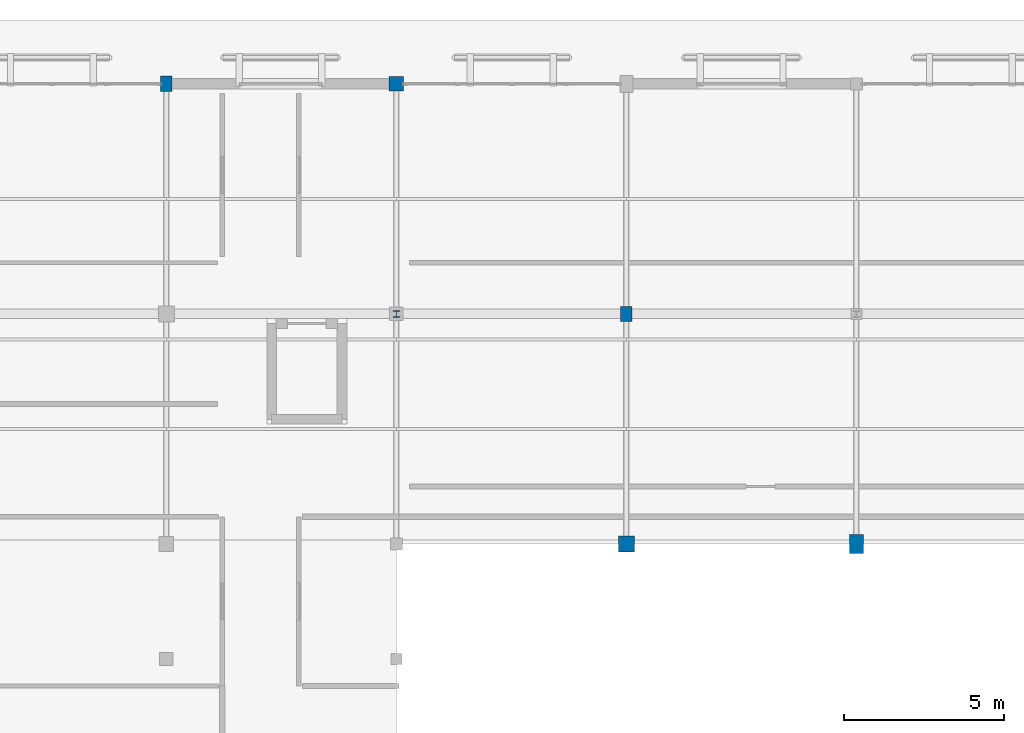
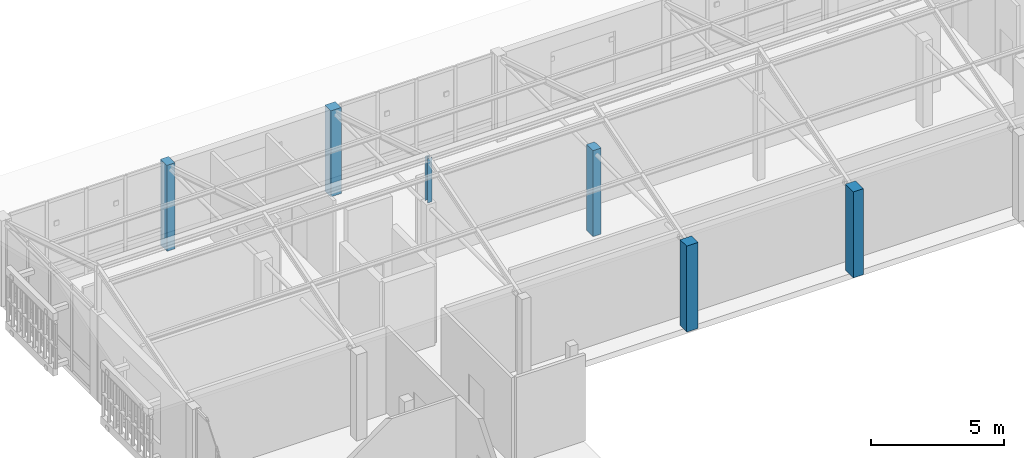
# One storey, part 6 of 61: 6 columns.
"""IFC4 building model written with IfcOpenShell, lengths in metres."""

from ifc_helpers import new_model, si_unit, direction, frame, origin, origin_2d, place, context, subcontext, project, spatial, rectangle, i_section, extrude, material, material_profile, profile_set, type_object, element, save


model = new_model("IFC4")

# Units and contexts
model_context = context("Model", 3, precision=1e-05, world=origin(), true_north=direction((0.0, 1.0)))
body_context = subcontext(model_context, "Body", "Model", "MODEL_VIEW")
ifc_project = project(units=[si_unit("LENGTHUNIT", "METRE"), si_unit("AREAUNIT", "SQUARE_METRE"), si_unit("VOLUMEUNIT", "CUBIC_METRE"), si_unit("PLANEANGLEUNIT", "RADIAN"), si_unit("MASSUNIT", "GRAM", prefix="KILO")], contexts=[model_context])

# Site, building, storey
site_placement = place(None, origin())
site = spatial("IfcSite", under=ifc_project, at=site_placement, CompositionType="ELEMENT")
building_placement = place(site_placement, origin())
building = spatial("IfcBuilding", under=site, at=building_placement, Name="Mazaris Harbour Polytechnic", CompositionType="ELEMENT")
storey_placement = place(building_placement, frame((0.0, 0.0, 18.0)))
storey = spatial("IfcBuildingStorey", under=building, at=storey_placement, Name="L04", CompositionType="ELEMENT", Elevation=18.0)

# Columns
ifc_material_1 = material(Name="Glulam GL28h", Category="wood")
ifc_material_profile_1 = material_profile(ifc_material_1, rectangle(XDim=0.360107421875, YDim=0.47998046875, at=origin_2d()), Name="RECT360x480")
ifc_profile_set_1 = profile_set([ifc_material_profile_1], Name="Glulam GL28h")
column_type_1 = type_object("IfcColumnType", Name="Glulam Column 360x480", PredefinedType="COLUMN", material=ifc_profile_set_1)
column_1_placement = place(storey_placement, frame((144.0, 93.60009765625, 0.0), z_axis=(0.0, 0.0, 1.0), x_axis=(1.0, 0.0, 0.0)))
element("IfcColumn", 1, at=column_1_placement, inside=storey, type_object=column_type_1, Name="V5 L04 Column 1485", PredefinedType="COLUMN", context=body_context, shape_type="SweptSolid", body=[
    extrude(rectangle(XDim=0.360107421875, YDim=0.47998046875, at=origin_2d()), origin(), (0.0, 0.0, 1.0), 3.9599609375),
])
ifc_material_2 = material(Name="Glulam GL28h", Category="wood")
ifc_material_profile_2 = material_profile(ifc_material_2, rectangle(XDim=0.360107421875, YDim=0.47998046875, at=origin_2d()), Name="RECT360x480")
ifc_profile_set_2 = profile_set([ifc_material_profile_2], Name="Glulam GL28h")
column_type_2 = type_object("IfcColumnType", Name="Glulam Column 360x480 Exterior", PredefinedType="COLUMN", material=ifc_profile_set_2)
column_2_placement = place(storey_placement, frame((129.60009765625, 100.800048828125, 0.0), z_axis=(0.0, 0.0, 1.0), x_axis=(1.0, 0.0, 0.0)))
element("IfcColumn", 2, at=column_2_placement, inside=storey, type_object=column_type_2, Name="V5 L04 Column 1477", PredefinedType="COLUMN", context=body_context, shape_type="SweptSolid", body=[
    extrude(rectangle(XDim=0.360107421875, YDim=0.47998046875, at=origin_2d()), origin(), (0.0, 0.0, 1.0), 3.9599609375),
])
ifc_material_3 = material(Name="Glulam GL28h", Category="wood")
ifc_material_profile_3 = material_profile(ifc_material_3, rectangle(XDim=0.43994140625, YDim=0.60009765625, at=origin_2d()), Name="RECT440x600")
ifc_profile_set_3 = profile_set([ifc_material_profile_3], Name="Glulam GL28h")
column_type_3 = type_object("IfcColumnType", Name="Glulam Column 440x600", PredefinedType="COLUMN", material=ifc_profile_set_3)
column_3_placement = place(storey_placement, frame((151.199951171875, 86.39990234375, 0.0), z_axis=(0.0, 0.0, 1.0), x_axis=(1.0, 0.0, 0.0)))
element("IfcColumn", 3, at=column_3_placement, inside=storey, type_object=column_type_3, Name="V5 L04 Column 1487", PredefinedType="COLUMN", context=body_context, shape_type="SweptSolid", body=[
    extrude(rectangle(XDim=0.43994140625, YDim=0.60009765625, at=origin_2d()), origin(), (0.0, 0.0, 1.0), 3.9599609375),
])
ifc_material_4 = material(Name="Glulam GL28h", Category="wood")
ifc_material_profile_4 = material_profile(ifc_material_4, rectangle(XDim=0.4599609375, YDim=0.4599609375, at=origin_2d()), Name="RECT460x460")
ifc_profile_set_4 = profile_set([ifc_material_profile_4], Name="Glulam GL28h")
column_type_4 = type_object("IfcColumnType", Name="Glulam Column 460x460 Exterior", PredefinedType="COLUMN", material=ifc_profile_set_4)
column_4_placement = place(storey_placement, frame((136.800048828125, 100.800048828125, 0.0), z_axis=(0.0, 0.0, 1.0), x_axis=(1.0, 0.0, 0.0)))
element("IfcColumn", 4, at=column_4_placement, inside=storey, type_object=column_type_4, Name="V5 L04 Column 1483", PredefinedType="COLUMN", context=body_context, shape_type="SweptSolid", body=[
    extrude(rectangle(XDim=0.4599609375, YDim=0.4599609375, at=origin_2d()), origin(), (0.0, 0.0, 1.0), 3.9599609375),
])
ifc_material_5 = material(Name="Glulam GL28h", Category="wood")
ifc_material_profile_5 = material_profile(ifc_material_5, rectangle(XDim=0.5, YDim=0.5, at=origin_2d()), Name="RECT500x500")
ifc_profile_set_5 = profile_set([ifc_material_profile_5], Name="Glulam GL28h")
column_type_5 = type_object("IfcColumnType", Name="Glulam Column 500x500", PredefinedType="COLUMN", material=ifc_profile_set_5)
column_5_placement = place(storey_placement, frame((144.0, 86.39990234375, 0.0), z_axis=(0.0, 0.0, 1.0), x_axis=(1.0, 0.0, 0.0)))
element("IfcColumn", 5, at=column_5_placement, inside=storey, type_object=column_type_5, Name="V5 L04 Column 1484", PredefinedType="COLUMN", context=body_context, shape_type="SweptSolid", body=[
    extrude(rectangle(XDim=0.5, YDim=0.5, at=origin_2d()), origin(), (0.0, 0.0, 1.0), 3.9599609375),
])
ifc_material_6 = material(Name="Steel S355", Category="steel")
ifc_material_profile_6 = material_profile(ifc_material_6, i_section(OverallWidth=0.199951171875, OverallDepth=0.199951171875, WebThickness=0.009033203125, FlangeThickness=0.014892578125, FilletRadius=0.01806640625, at=origin_2d()), Name="HEB 200")
ifc_profile_set_6 = profile_set([ifc_material_profile_6], Name="Steel S355")
column_type_6 = type_object("IfcColumnType", Name="Steel Column HEB200", PredefinedType="COLUMN", material=ifc_profile_set_6)
column_6_placement = place(storey_placement, frame((136.800048828125, 93.60009765625, 3.9599609375), z_axis=(0.0, 0.0, 1.0), x_axis=(1.0, 0.0, 0.0)))
element("IfcColumn", 6, at=column_6_placement, inside=storey, type_object=column_type_6, Name="V5 Studio Ridge King Post 136.8", PredefinedType="COLUMN", context=body_context, shape_type="SweptSolid", body=[
    extrude(i_section(OverallWidth=0.199951171875, OverallDepth=0.199951171875, WebThickness=0.009033203125, FlangeThickness=0.014892578125, FilletRadius=0.01806640625, at=origin_2d()), origin(), (0.0, 0.0, 1.0), 2.0400390625),
])

save(model, "model.ifc")
